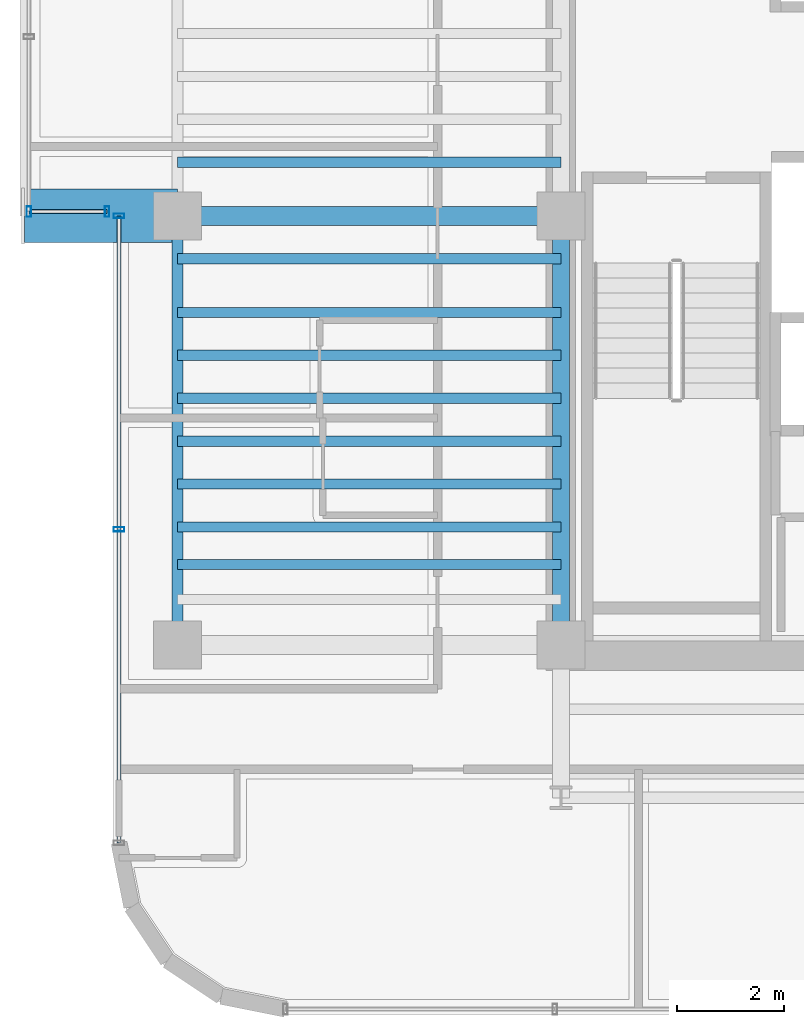
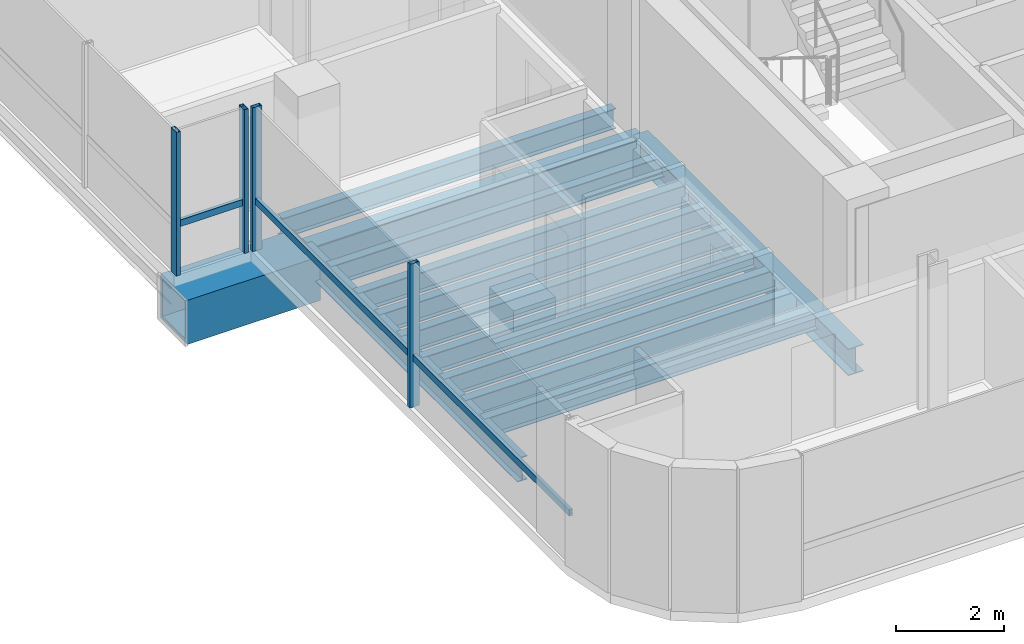
# One storey, part 4 of 22: 13 beams, 6 members, 2 elements without a shape of their own.
"""IFC4 building model written with IfcOpenShell, lengths in metres."""

from ifc_helpers import new_model, si_unit, direction, frame, origin, origin_2d, place, context, subcontext, project, spatial, hollow_rectangle, i_section, extrude, source, transform, mapped, material, material_profile, profile_set, type_object, element, aggregate, save


model = new_model("IFC4")

# Units and contexts
model_context = context("Model", 3, precision=1e-05, world=origin(), true_north=direction((0.0, 1.0)))
body_context = subcontext(model_context, "Body", "Model", "MODEL_VIEW")
ifc_project = project(units=[si_unit("LENGTHUNIT", "METRE"), si_unit("AREAUNIT", "SQUARE_METRE"), si_unit("VOLUMEUNIT", "CUBIC_METRE"), si_unit("PLANEANGLEUNIT", "RADIAN"), si_unit("MASSUNIT", "GRAM", prefix="KILO")], contexts=[model_context])

# Site, building, storey
site_placement = place(None, origin())
site = spatial("IfcSite", under=ifc_project, at=site_placement, CompositionType="ELEMENT")
building_placement = place(site_placement, origin())
building = spatial("IfcBuilding", under=site, at=building_placement, Name="Valdorenza Pilgrim Sanctuary Tower", CompositionType="ELEMENT")
storey_placement = place(building_placement, frame((0.0, 0.0, 212.5)))
storey = spatial("IfcBuildingStorey", under=building, at=storey_placement, Name="L54", CompositionType="ELEMENT", Elevation=212.5)

# Beams
ifc_material_1 = material(Name="Steel ASTM A992 Grade 50", Category="steel")
ifc_material_profile_1 = material_profile(ifc_material_1, i_section(OverallWidth=0.323974609375, OverallDepth=0.611083984375, WebThickness=0.0126953125, FlangeThickness=0.01904296875, at=origin_2d()), Name="W24X104")
ifc_profile_set_1 = profile_set([ifc_material_profile_1], Name="Steel ASTM A992 Grade 50")
beam_type_1 = type_object("IfcBeamType", Name="STR-BM-GRD-W24B", PredefinedType="BEAM", material=ifc_profile_set_1)
shared_shape_1 = source(origin(), body_context, "Body", "SweptSolid", [
    extrude(i_section(OverallWidth=0.323974609375, OverallDepth=0.611083984375, WebThickness=0.0126953125, FlangeThickness=0.01904296875, at=origin_2d()), origin(), (0.0, 0.0, 1.0), 8.0),
])
beam_1_placement = place(storey_placement, frame((-22.64990234375, -10.60009765625, -0.54541015625), z_axis=(0.0, 1.0, 0.0), x_axis=(-1.0, 0.0, 0.0)))
element("IfcBeam", 1, at=beam_1_placement, inside=storey, type_object=beam_type_1, Name="L54 Core Tie Girder CA-W-S1M0", PredefinedType="BEAM", context=body_context, shape_type="MappedRepresentation", body=[
    mapped(shared_shape_1, transform((0.0, 0.0, 0.0), x_axis=(1.0, 0.0, 0.0), y_axis=(0.0, 1.0, 0.0), z_axis=(0.0, 0.0, 1.0), scale=1.0)),
])
ifc_material_profile_2 = material_profile(ifc_material_1, i_section(OverallWidth=0.19091796875, OverallDepth=0.45703125, WebThickness=0.009033203125, FlangeThickness=0.014404296875, at=origin_2d()), Name="W18X50")
ifc_profile_set_2 = profile_set([ifc_material_profile_2], Name="Steel ASTM A992 Grade 50")
beam_type_2 = type_object("IfcBeamType", Name="STR-BM-JST-W18B", PredefinedType="JOIST", material=ifc_profile_set_2)
shared_shape_2 = source(origin(), body_context, "Body", "SweptSolid", [
    extrude(i_section(OverallWidth=0.19091796875, OverallDepth=0.45703125, WebThickness=0.009033203125, FlangeThickness=0.014404296875, at=origin_2d()), origin(), (0.0, 0.0, 1.0), 7.150146484375),
])
for number, where, z_axis, x_axis, name in (
    (2, (-29.800048828125, -9.10009765625, -0.468505859375), (1.0, 0.0, 0.0), (0.0, 1.0, 0.0), "L54 Composite Floor Joist JST-WA-2"),
    (3, (-29.800048828125, -8.39990234375, -0.468505859375), (1.0, 0.0, 0.0), (0.0, 1.0, 0.0), "L54 Composite Floor Joist JST-WA-3"),
    (4, (-29.800048828125, -7.60009765625, -0.468505859375), (1.0, 0.0, 0.0), (0.0, 1.0, 0.0), "L54 Composite Floor Joist JST-WA-4"),
    (5, (-29.800048828125, -6.800048828125, -0.468505859375), (1.0, 0.0, 0.0), (0.0, 1.0, 0.0), "L54 Composite Floor Joist JST-WA-5"),
    (6, (-29.800048828125, -6.0, -0.468505859375), (1.0, 0.0, 0.0), (0.0, 1.0, 0.0), "L54 Composite Floor Joist JST-WA-6"),
    (7, (-29.800048828125, -5.199951171875, -0.468505859375), (1.0, 0.0, 0.0), (0.0, 1.0, 0.0), "L54 Composite Floor Joist JST-WA-7"),
    (8, (-29.800048828125, -4.39990234375, -0.468505859375), (1.0, 0.0, 0.0), (0.0, 1.0, 0.0), "L54 Composite Floor Joist JST-WA-8"),
    (9, (-29.800048828125, -3.39990234375, -0.468505859375), (1.0, 0.0, 0.0), (0.0, 1.0, 0.0), "L54 Composite Floor Joist JST-WA-9"),
    (10, (-29.800048828125, -1.60009765625, -0.468505859375), (1.0, 0.0, 0.0), (0.0, 1.0, 0.0), "L54 Composite Floor Joist JST-WA-10"),
):
    element("IfcBeam", number, at=place(storey_placement, frame(where, z_axis=z_axis, x_axis=x_axis)), inside=storey, type_object=beam_type_2, Name=name, PredefinedType="JOIST", context=body_context, shape_type="MappedRepresentation", body=[
        mapped(shared_shape_2, transform((0.0, 0.0, 0.0), x_axis=(1.0, 0.0, 0.0), y_axis=(0.0, 1.0, 0.0), z_axis=(0.0, 0.0, 1.0), scale=1.0)),
    ])
ifc_material_2 = material(Name="Steel ASTM A572 Grade 42", Category="steel")
ifc_material_profile_3 = material_profile(ifc_material_2, hollow_rectangle(XDim=1.0, YDim=1.0, WallThickness=0.080078125, at=origin_2d()), Name="BOX 1000x1000x80")
ifc_profile_set_3 = profile_set([ifc_material_profile_3], Name="Steel ASTM A572 Grade 42")
beam_type_3 = type_object("IfcBeamType", Name="STR-BM-PROW-CANT", PredefinedType="BEAM", material=ifc_profile_set_3)
shared_shape_3 = source(origin(), body_context, "Body", "SweptSolid", [
    extrude(hollow_rectangle(XDim=1.0, YDim=1.0, WallThickness=0.080078125, at=origin_2d()), origin(), (0.0, 0.0, 1.0), 2.849853515625),
])
beam_2_placement = place(storey_placement, frame((-29.800048828125, -2.60009765625, -0.739990234375), z_axis=(-1.0, 0.0, 0.0), x_axis=(0.0, -1.0, 0.0)))
element("IfcBeam", 11, at=beam_2_placement, inside=storey, type_object=beam_type_3, Name="L54 Glass Box Cantilever Beam BOX-WA-L54-CT-S", PredefinedType="BEAM", context=body_context, shape_type="MappedRepresentation", body=[
    mapped(shared_shape_3, transform((0.0, 0.0, 0.0), x_axis=(1.0, 0.0, 0.0), y_axis=(0.0, 1.0, 0.0), z_axis=(0.0, 0.0, 1.0), scale=1.0)),
])
ifc_material_profile_4 = material_profile(ifc_material_1, i_section(OverallWidth=0.2109375, OverallDepth=0.5390625, WebThickness=0.01171875, FlangeThickness=0.018798828125, at=origin_2d()), Name="W21X73")
ifc_profile_set_4 = profile_set([ifc_material_profile_4], Name="Steel ASTM A992 Grade 50")
beam_type_4 = type_object("IfcBeamType", Name="STR-BM-SPN-W21B", PredefinedType="SPANDREL", material=ifc_profile_set_4)
shared_shape_4 = source(origin(), body_context, "Body", "SweptSolid", [
    extrude(i_section(OverallWidth=0.2109375, OverallDepth=0.5390625, WebThickness=0.01171875, FlangeThickness=0.018798828125, at=origin_2d()), origin(), (0.0, 0.0, 1.0), 8.0),
])
beam_3_placement = place(storey_placement, frame((-29.800048828125, -10.60009765625, -0.509521484375), z_axis=(0.0, 1.0, 0.0), x_axis=(-1.0, 0.0, 0.0)))
element("IfcBeam", 12, at=beam_3_placement, inside=storey, type_object=beam_type_4, Name="L54 Spandrel Beam WA-W-S1M0", PredefinedType="SPANDREL", context=body_context, shape_type="MappedRepresentation", body=[
    mapped(shared_shape_4, transform((0.0, 0.0, 0.0), x_axis=(1.0, 0.0, 0.0), y_axis=(0.0, 1.0, 0.0), z_axis=(0.0, 0.0, 1.0), scale=1.0)),
])
ifc_material_profile_5 = material_profile(ifc_material_1, i_section(OverallWidth=0.35595703125, OverallDepth=0.700927734375, WebThickness=0.016845703125, FlangeThickness=0.02734375, at=origin_2d()), Name="W27X161")
ifc_profile_set_5 = profile_set([ifc_material_profile_5], Name="Steel ASTM A992 Grade 50")
beam_type_5 = type_object("IfcBeamType", Name="STR-BM-GRD-W27", PredefinedType="BEAM", material=ifc_profile_set_5)
shared_shape_5 = source(origin(), body_context, "Body", "SweptSolid", [
    extrude(i_section(OverallWidth=0.35595703125, OverallDepth=0.700927734375, WebThickness=0.016845703125, FlangeThickness=0.02734375, at=origin_2d()), origin(), (0.0, 0.0, 1.0), 7.150146484375),
])
beam_4_placement = place(storey_placement, frame((-29.800048828125, -2.60009765625, -0.590576171875), z_axis=(1.0, 0.0, 0.0), x_axis=(0.0, 1.0, 0.0)))
element("IfcBeam", 13, at=beam_4_placement, inside=storey, type_object=beam_type_5, Name="L54 Floor Girder WA-XW-M0", PredefinedType="BEAM", context=body_context, shape_type="MappedRepresentation", body=[
    mapped(shared_shape_5, transform((0.0, 0.0, 0.0), x_axis=(1.0, 0.0, 0.0), y_axis=(0.0, 1.0, 0.0), z_axis=(0.0, 0.0, 1.0), scale=1.0)),
])

# Curtain wall, member
ifc_material_3 = material(Name="Curtain-wall IGU glazing", Category="glass")
curtain_wall_type = type_object("IfcCurtainWallType", Name="CW-SYS-02", PredefinedType="NOTDEFINED", material=ifc_material_3)
curtain_wall_1_placement = place(storey_placement, origin())
curtain_wall_1 = element("IfcCurtainWall", 14, at=curtain_wall_1_placement, inside=storey, type_object=curtain_wall_type, Name="L54 Curtain Wall CW-L54-BOX-WA-L54-S", PredefinedType="NOTDEFINED")
ifc_material_4 = material(Name="Anodised aluminium AW-6060", Category="aluminium")
ifc_material_profile_6 = material_profile(ifc_material_4, hollow_rectangle(XDim=0.074951171875, YDim=0.14990234375, WallThickness=0.00390625, at=origin_2d()), Name="ALU-T 150x75x4")
ifc_profile_set_6 = profile_set([ifc_material_profile_6], Name="Anodised aluminium AW-6060")
member_type_1 = type_object("IfcMemberType", Name="CW-TRN-02", PredefinedType="USERDEFINED", material=ifc_profile_set_6)
shared_shape_6 = source(origin(), body_context, "Body", "SweptSolid", [
    extrude(hollow_rectangle(XDim=0.074951171875, YDim=0.14990234375, WallThickness=0.00390625, at=origin_2d()), origin(), (0.0, 0.0, 1.0), 1.4599609375),
])
member_1_placement = place(storey_placement, frame((-31.110107421875, -2.52001953125, 1.1201171875), z_axis=(-1.0, 0.0, 0.0), x_axis=(0.0, -1.0, 0.0)))
member_1 = element("IfcMember", 15, at=member_1_placement, type_object=member_type_1, Name="CW-L54-BOX-WA-L54-S Transom 1", ObjectType="TRANSOM", PredefinedType="USERDEFINED", context=body_context, shape_type="MappedRepresentation", body=[
    mapped(shared_shape_6, transform((0.0, 0.0, 0.0), x_axis=(1.0, 0.0, 0.0), y_axis=(0.0, 1.0, 0.0), z_axis=(0.0, 0.0, 1.0), scale=1.0)),
])

# Curtain wall, members
curtain_wall_2_placement = place(storey_placement, origin())
curtain_wall_2 = element("IfcCurtainWall", 16, at=curtain_wall_2_placement, inside=storey, type_object=curtain_wall_type, Name="L54 Curtain Wall CW-L54-1-1S1", PredefinedType="NOTDEFINED")
shared_shape_7 = source(origin(), body_context, "Body", "SweptSolid", [
    extrude(hollow_rectangle(XDim=0.074951171875, YDim=0.14990234375, WallThickness=0.00390625, at=origin_2d()), origin(), (0.0, 0.0, 1.0), 11.689208984375),
])
member_2_placement = place(storey_placement, frame((-30.889892578125, -14.289306640625, 1.1201171875), z_axis=(0.0, 1.0, 0.0), x_axis=(-1.0, 0.0, 0.0)))
member_2 = element("IfcMember", 17, at=member_2_placement, type_object=member_type_1, Name="CW-L54-1-1S1 Transom 1", ObjectType="TRANSOM", PredefinedType="USERDEFINED", context=body_context, shape_type="MappedRepresentation", body=[
    mapped(shared_shape_7, transform((0.0, 0.0, 0.0), x_axis=(1.0, 0.0, 0.0), y_axis=(0.0, 1.0, 0.0), z_axis=(0.0, 0.0, 1.0), scale=1.0)),
])
ifc_material_profile_7 = material_profile(ifc_material_4, hollow_rectangle(XDim=0.0849609375, YDim=0.199951171875, WallThickness=0.0048828125, at=origin_2d()), Name="ALU-M 200x85x5")
ifc_profile_set_7 = profile_set([ifc_material_profile_7], Name="Anodised aluminium AW-6060")
member_type_2 = type_object("IfcMemberType", Name="CW-MUL-02", PredefinedType="MULLION", material=ifc_profile_set_7)
shared_shape_8 = source(origin(), body_context, "Body", "SweptSolid", [
    extrude(hollow_rectangle(XDim=0.0849609375, YDim=0.199951171875, WallThickness=0.0048828125, at=origin_2d()), origin(), (0.0, 0.0, 1.0), 3.260009765625),
])
member_3_placement = place(storey_placement, frame((-30.889892578125, -8.444580078125, 0.0), z_axis=(0.0, 0.0, 1.0), x_axis=(0.0, 1.0, 0.0)))
member_3 = element("IfcMember", 18, at=member_3_placement, type_object=member_type_2, Name="CW-L54-1-1S1 Mullion 2", PredefinedType="MULLION", context=body_context, shape_type="MappedRepresentation", body=[
    mapped(shared_shape_8, transform((0.0, 0.0, 0.0), x_axis=(1.0, 0.0, 0.0), y_axis=(0.0, 1.0, 0.0), z_axis=(0.0, 0.0, 1.0), scale=1.0)),
])
member_4_placement = place(storey_placement, frame((-30.889892578125, -2.60009765625, 0.0), z_axis=(0.0, 0.0, 1.0), x_axis=(0.0, 1.0, 0.0)))
member_4 = element("IfcMember", 19, at=member_4_placement, type_object=member_type_2, Name="CW-L54-1-1S1 Mullion 3", PredefinedType="MULLION", context=body_context, shape_type="MappedRepresentation", body=[
    mapped(shared_shape_8, transform((0.0, 0.0, 0.0), x_axis=(1.0, 0.0, 0.0), y_axis=(0.0, 1.0, 0.0), z_axis=(0.0, 0.0, 1.0), scale=1.0)),
])
aggregate(curtain_wall_2, [member_3, member_4, member_2])

# Member
member_5_placement = place(storey_placement, frame((-31.110107421875, -2.52001953125, 0.0), z_axis=(0.0, 0.0, 1.0), x_axis=(-1.0, 0.0, 0.0)))
member_5 = element("IfcMember", 20, at=member_5_placement, type_object=member_type_2, Name="CW-L54-BOX-WA-L54-S Mullion 1", PredefinedType="MULLION", context=body_context, shape_type="MappedRepresentation", body=[
    mapped(shared_shape_8, transform((0.0, 0.0, 0.0), x_axis=(1.0, 0.0, 0.0), y_axis=(0.0, 1.0, 0.0), z_axis=(0.0, 0.0, 1.0), scale=1.0)),
])

member_6_placement = place(storey_placement, frame((-32.570068359375, -2.52001953125, 0.0), z_axis=(0.0, 0.0, 1.0), x_axis=(-1.0, 0.0, 0.0)))
member_6 = element("IfcMember", 21, at=member_6_placement, type_object=member_type_2, Name="CW-L54-BOX-WA-L54-S Mullion 2", PredefinedType="MULLION", context=body_context, shape_type="MappedRepresentation", body=[
    mapped(shared_shape_8, transform((0.0, 0.0, 0.0), x_axis=(1.0, 0.0, 0.0), y_axis=(0.0, 1.0, 0.0), z_axis=(0.0, 0.0, 1.0), scale=1.0)),
])

aggregate(curtain_wall_1, [member_5, member_6, member_1])

save(model, "model.ifc")
